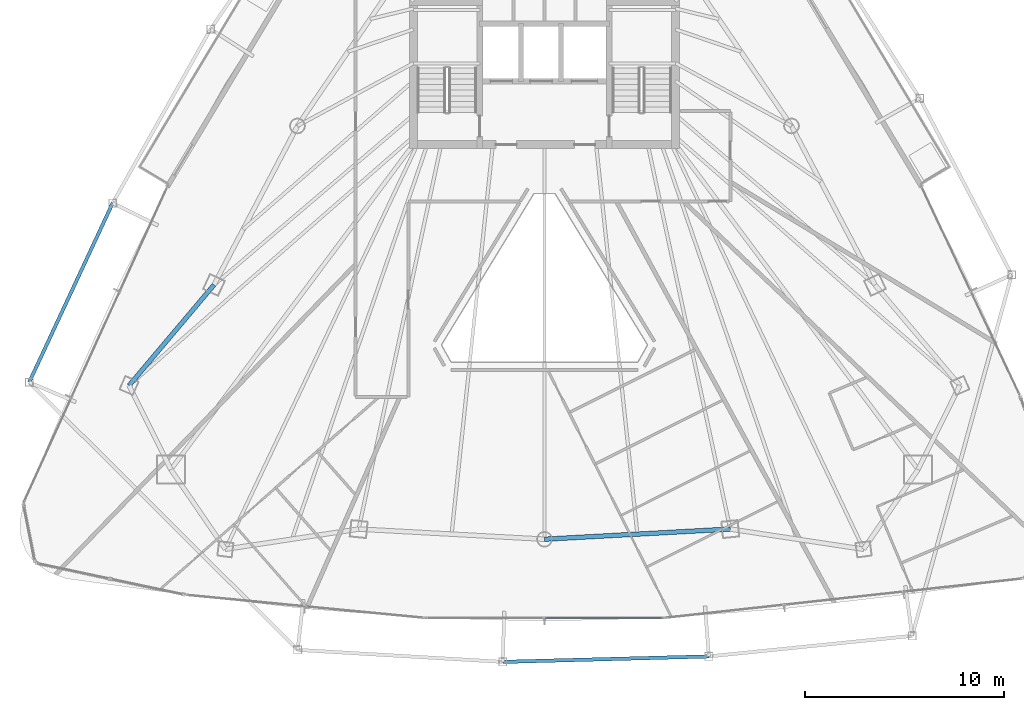
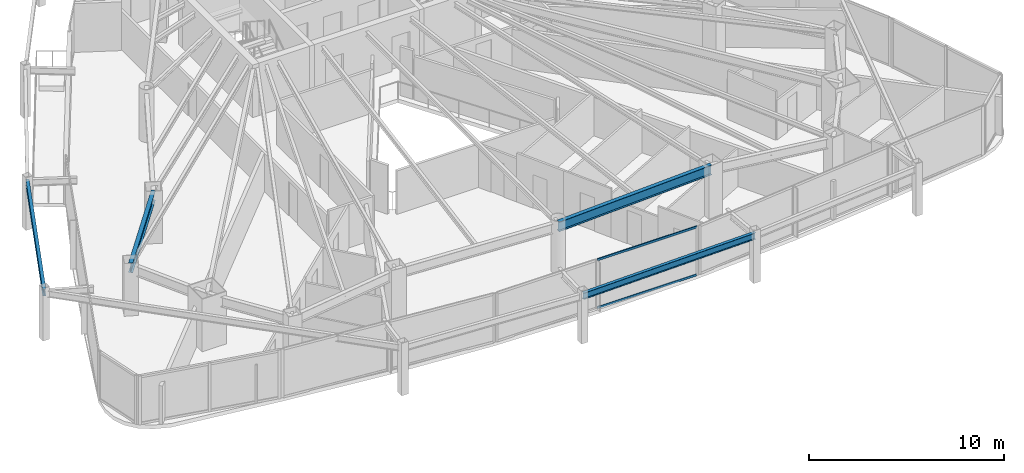
# One storey, part 8 of 31: 4 beams, 2 members, 1 element without a shape of its own.
"""IFC4 building model written with IfcOpenShell, lengths in metres."""

from ifc_helpers import new_model, si_unit, direction, frame, origin, origin_2d, place, context, subcontext, project, spatial, hollow_rectangle, i_section, extrude, material, layer, layer_set, material_profile, profile_set, type_object, element, aggregate, save


model = new_model("IFC4")

# Units and contexts
model_context = context("Model", 3, precision=1e-05, world=origin(), true_north=direction((0.0, 1.0)))
body_context = subcontext(model_context, "Body", "Model", "MODEL_VIEW")
ifc_project = project(units=[si_unit("LENGTHUNIT", "METRE"), si_unit("AREAUNIT", "SQUARE_METRE"), si_unit("VOLUMEUNIT", "CUBIC_METRE"), si_unit("PLANEANGLEUNIT", "RADIAN"), si_unit("MASSUNIT", "GRAM", prefix="KILO")], contexts=[model_context])

# Site, building, storey
site_placement = place(None, origin())
site = spatial("IfcSite", under=ifc_project, at=site_placement, CompositionType="ELEMENT")
building_placement = place(site_placement, origin())
building = spatial("IfcBuilding", under=site, at=building_placement, Name="Orvanel Arch Residences", CompositionType="ELEMENT")
storey_placement = place(building_placement, frame((0.0, 0.0, 106.699951171875)))
storey = spatial("IfcBuildingStorey", under=building, at=storey_placement, Name="L29", CompositionType="ELEMENT", Elevation=106.699951171875)

# Beams
ifc_material_1 = material(Name="Structural steel AS/NZS 3679.1 Grade 300 (300 MPa)", Category="steel")
ifc_material_profile_1 = material_profile(ifc_material_1, i_section(OverallWidth=0.177978515625, OverallDepth=0.406005859375, WebThickness=0.0078125, FlangeThickness=0.0126953125, at=origin_2d()), Name="410UB59.7")
ifc_profile_set_1 = profile_set([ifc_material_profile_1], Name="Structural steel AS/NZS 3679.1 Grade 300 (300 MPa)")
beam_type_1 = type_object("IfcBeamType", Name="OB-410UB-EXT", PredefinedType="SPANDREL", material=ifc_profile_set_1)
beam_1_placement = place(storey_placement, frame((11.27001953125, 23.760986328125, 2.85693359375), z_axis=(-0.42237782372, -0.906419866303, 0.0), x_axis=(0.906419866303, -0.42237782372, 0.0)))
element("IfcBeam", 1, at=beam_1_placement, inside=storey, type_object=beam_type_1, Name="L29 Outer Perimeter Floor Ring Beam 03", PredefinedType="SPANDREL", context=body_context, shape_type="SweptSolid", body=[
    extrude(i_section(OverallWidth=0.177978515625, OverallDepth=0.406005859375, WebThickness=0.0078125, FlangeThickness=0.0126953125, at=origin_2d()), origin(), (0.0, 0.0, 1.0), 9.953369140625),
])
beam_2_placement = place(storey_placement, frame((30.903076171875, 0.6708984375, 2.85693359375), z_axis=(0.999648245167, 0.026521424052, 0.0), x_axis=(-0.026521424052, 0.999648245167, 0.0)))
element("IfcBeam", 2, at=beam_2_placement, inside=storey, type_object=beam_type_1, Name="L29 Outer Perimeter Floor Ring Beam 06", PredefinedType="SPANDREL", context=body_context, shape_type="SweptSolid", body=[
    extrude(i_section(OverallWidth=0.177978515625, OverallDepth=0.406005859375, WebThickness=0.0078125, FlangeThickness=0.0126953125, at=origin_2d()), origin(), (0.0, 0.0, 1.0), 10.37451171875),
])
ifc_material_profile_2 = material_profile(ifc_material_1, i_section(OverallWidth=0.22900390625, OverallDepth=0.612060546875, WebThickness=0.011962890625, FlangeThickness=0.01953125, at=origin_2d()), Name="610UB125")
ifc_profile_set_2 = profile_set([ifc_material_profile_2], Name="Structural steel AS/NZS 3679.1 Grade 300 (300 MPa)")
beam_type_2 = type_object("IfcBeamType", Name="SP-610UB", PredefinedType="SPANDREL", material=ifc_profile_set_2)
beam_3_placement = place(storey_placement, frame((16.366943359375, 19.64208984375, 2.754150390625), z_axis=(-0.644950329775, -0.764224490659, 0.0), x_axis=(0.764224490659, -0.644950329775, 0.0)))
element("IfcBeam", 3, at=beam_3_placement, inside=storey, type_object=beam_type_2, Name="L29 Perimeter Spandrel Beam 01", PredefinedType="SPANDREL", context=body_context, shape_type="SweptSolid", body=[
    extrude(i_section(OverallWidth=0.22900390625, OverallDepth=0.612060546875, WebThickness=0.011962890625, FlangeThickness=0.01953125, at=origin_2d()), origin(), (0.0, 0.0, 1.0), 6.623779296875),
])
beam_4_placement = place(storey_placement, frame((33.0, 6.843994140625, 2.754150390625), z_axis=(0.998510315598, 0.054563262768, 0.0), x_axis=(-0.054563262768, 0.998510315598, 0.0)))
element("IfcBeam", 4, at=beam_4_placement, inside=storey, type_object=beam_type_2, Name="L29 Perimeter Spandrel Beam 06", PredefinedType="SPANDREL", context=body_context, shape_type="SweptSolid", body=[
    extrude(i_section(OverallWidth=0.22900390625, OverallDepth=0.612060546875, WebThickness=0.011962890625, FlangeThickness=0.01953125, at=origin_2d()), origin(), (0.0, 0.0, 1.0), 9.364990234375),
])

# Curtain wall, members
ifc_material_2 = material(Name="Bronze-anodised aluminium AA6063-T6", Category="aluminium")
ifc_layer = layer(ifc_material_2, 0.179931640625)
ifc_layer_set = layer_set([ifc_layer], Name="Bronze-anodised aluminium AA6063-T6")
curtain_wall_type = type_object("IfcCurtainWallType", Name="CW3-MID-SYS", PredefinedType="NOTDEFINED", material=ifc_layer_set)
curtain_wall_placement = place(storey_placement, origin())
curtain_wall = element("IfcCurtainWall", 5, at=curtain_wall_placement, inside=storey, type_object=curtain_wall_type, Name="L29 CW3-MID-SYS Unitised Curtain Wall", PredefinedType="NOTDEFINED")
ifc_material_profile_3 = material_profile(ifc_material_2, hollow_rectangle(XDim=0.06005859375, YDim=0.135009765625, WallThickness=0.00390625, at=origin_2d()), Name="ALU135x60x4")
ifc_profile_set_3 = profile_set([ifc_material_profile_3], Name="Bronze-anodised aluminium AA6063-T6")
member_type = type_object("IfcMemberType", Name="TRN-135x60", PredefinedType="USERDEFINED", material=ifc_profile_set_3)
member_1_placement = place(storey_placement, frame((33.034912109375, 2.87890625, 0.030029296875), z_axis=(1.0, 0.0, 0.0), x_axis=(0.0, 1.0, 0.0)))
member_1 = element("IfcMember", 6, at=member_1_placement, type_object=member_type, Name="CW-S3 transom 2.1", ObjectType="TRANSOM", PredefinedType="USERDEFINED", context=body_context, shape_type="SweptSolid", body=[
    extrude(hollow_rectangle(XDim=0.06005859375, YDim=0.135009765625, WallThickness=0.00390625, at=origin_2d()), origin(), (0.0, 0.0, 1.0), 5.898193359375),
])
member_2_placement = place(storey_placement, frame((33.034912109375, 2.87890625, 3.030029296875), z_axis=(1.0, 0.0, 0.0), x_axis=(0.0, 1.0, 0.0)))
member_2 = element("IfcMember", 7, at=member_2_placement, type_object=member_type, Name="CW-S3 transom 2.2", ObjectType="TRANSOM", PredefinedType="USERDEFINED", context=body_context, shape_type="SweptSolid", body=[
    extrude(hollow_rectangle(XDim=0.06005859375, YDim=0.135009765625, WallThickness=0.00390625, at=origin_2d()), origin(), (0.0, 0.0, 1.0), 5.898193359375),
])
aggregate(curtain_wall, [member_1, member_2])

save(model, "model.ifc")
